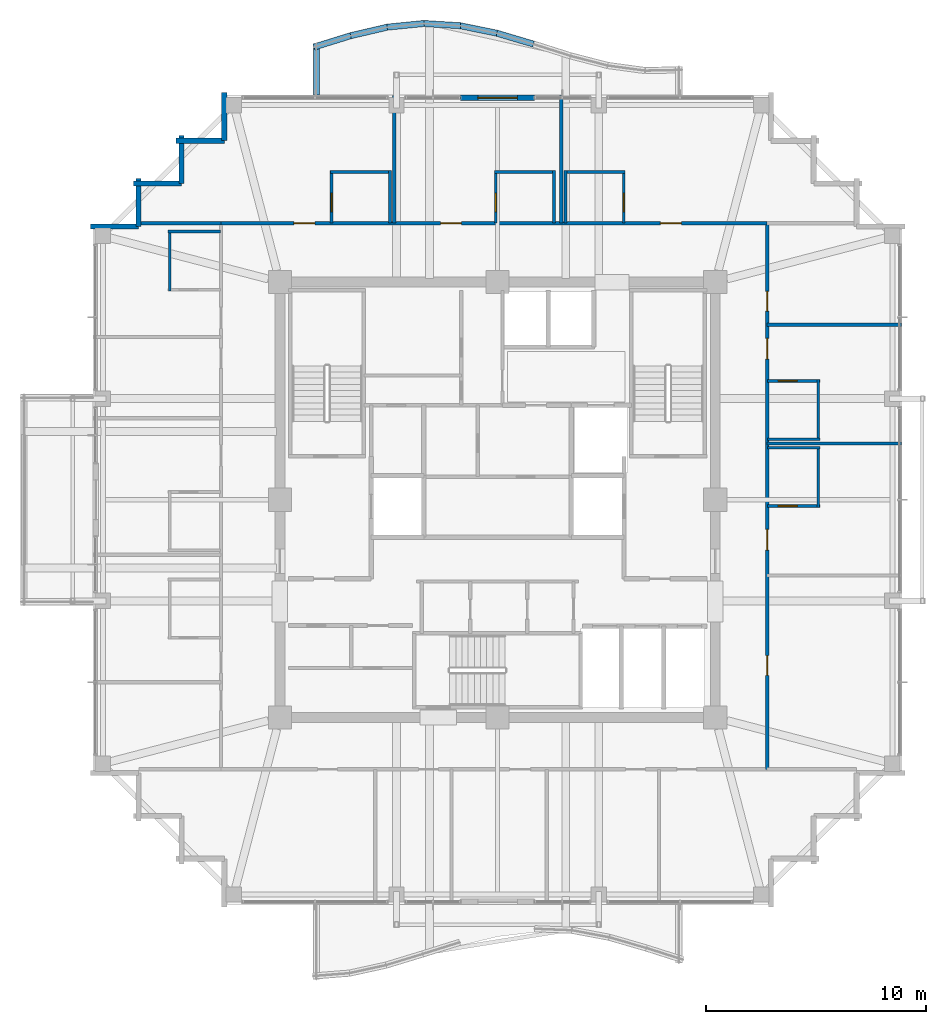
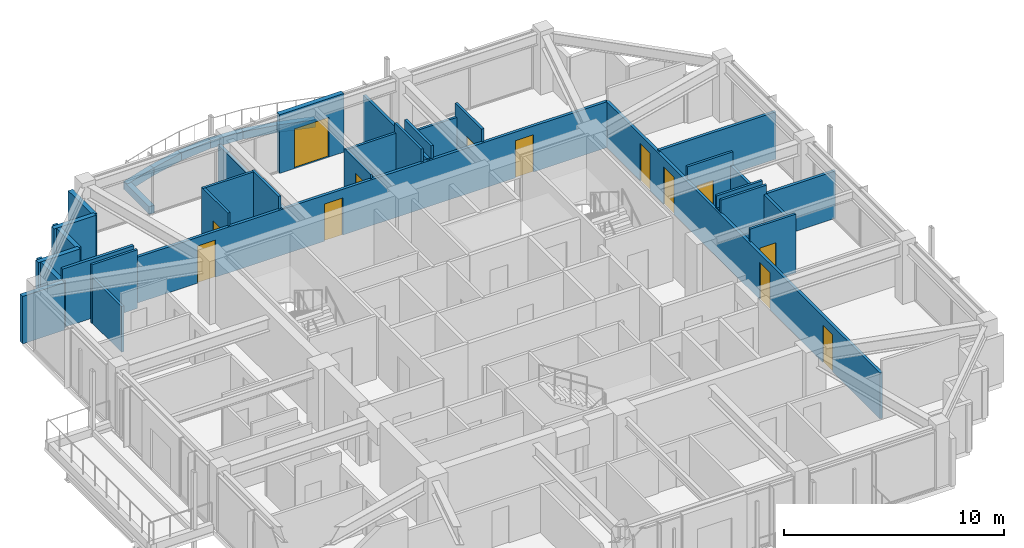
# One storey, part 30 of 34: 38 walls, 13 doors, 13 openings.
"""IFC4 building model written with IfcOpenShell, lengths in metres."""

from ifc_helpers import new_model, si_unit, direction, frame, frame_2d, origin, place, context, subcontext, project, spatial, rectangle, extrude, material, layer, layer_set, type_object, element, fill, save


model = new_model("IFC4")

# Units and contexts
model_context = context("Model", 3, precision=1e-05, world=origin(), true_north=direction((0.0, 1.0)))
body_context = subcontext(model_context, "Body", "Model", "MODEL_VIEW")
ifc_project = project(units=[si_unit("LENGTHUNIT", "METRE"), si_unit("AREAUNIT", "SQUARE_METRE"), si_unit("VOLUMEUNIT", "CUBIC_METRE"), si_unit("PLANEANGLEUNIT", "RADIAN"), si_unit("MASSUNIT", "GRAM", prefix="KILO")], contexts=[model_context])

# Site, building, storey
site_placement = place(None, origin())
site = spatial("IfcSite", under=ifc_project, at=site_placement, CompositionType="ELEMENT")
building_placement = place(site_placement, origin())
building = spatial("IfcBuilding", under=site, at=building_placement, Name="Kolvaren Belvedere", CompositionType="ELEMENT")
storey_placement = place(building_placement, frame((0.0, 0.0, 240.89990234375)))
storey = spatial("IfcBuildingStorey", under=building, at=storey_placement, Name="L70", CompositionType="ELEMENT", Elevation=240.89990234375)

# Wall, openings, doors
ifc_material_1 = material(Name="Gypsum fire-rated partition assembly", Category="gypsum")
ifc_layer_1 = layer(ifc_material_1, 0.14990234375)
ifc_layer_set_1 = layer_set([ifc_layer_1], Name="Gypsum fire-rated partition assembly")
wall_type_1 = type_object("IfcWallType", Name="WL-CORR-150", PredefinedType="PARTITIONING", material=ifc_layer_set_1)
wall_1_placement = place(storey_placement, frame((-12.580078125, 12.580078125, 0.0), z_axis=(0.0, 0.0, 1.0), x_axis=(1.0, 0.0, 0.0)))
wall_1 = element("IfcWall", 1, at=wall_1_placement, inside=storey, type_object=wall_type_1, Name="L70 North Corridor Wall", PredefinedType="PARTITIONING", context=body_context, shape_type="SweptSolid", body=[
    extrude(rectangle(XDim=24.840087890625, YDim=0.14990234375, at=frame_2d((12.419921875, 0.0))), origin(), (0.0, 0.0, 1.0), 2.5390625),
])
opening_1_placement = place(wall_1_placement, frame((3.320556640625, 0.0, 0.0)))
opening_1 = element("IfcOpeningElement", 2, at=opening_1_placement, cuts=wall_1, Name="Opening D-FD60", PredefinedType="OPENING", context=body_context, shape_type="SweptSolid", body=[
    extrude(rectangle(XDim=0.949951171875, YDim=2.06005859375, at=frame_2d((0.47509765625, 1.030029296875))), frame((0.0, 0.0849609375, 0.0), z_axis=(0.0, -1.0, 0.0), x_axis=(1.0, 0.0, 0.0)), (0.0, 0.0, 1.0), 0.169921875),
])
opening_2_placement = place(wall_1_placement, frame((9.988037109375, 0.0, 0.0)))
opening_2 = element("IfcOpeningElement", 3, at=opening_2_placement, cuts=wall_1, Name="Opening D-FD60", PredefinedType="OPENING", context=body_context, shape_type="SweptSolid", body=[
    extrude(rectangle(XDim=0.949951171875, YDim=2.06005859375, at=frame_2d((0.47509765625, 1.030029296875))), frame((0.0, 0.0849609375, 0.0), z_axis=(0.0, -1.0, 0.0), x_axis=(1.0, 0.0, 0.0)), (0.0, 0.0, 1.0), 0.169921875),
])
opening_3_placement = place(wall_1_placement, frame((19.985595703125, 0.0, 0.0)))
opening_3 = element("IfcOpeningElement", 4, at=opening_3_placement, cuts=wall_1, Name="Opening D-FD60", PredefinedType="OPENING", context=body_context, shape_type="SweptSolid", body=[
    extrude(rectangle(XDim=0.949951171875, YDim=2.06005859375, at=frame_2d((0.47509765625, 1.030029296875))), frame((0.0, 0.0849609375, 0.0), z_axis=(0.0, -1.0, 0.0), x_axis=(1.0, 0.0, 0.0)), (0.0, 0.0, 1.0), 0.169921875),
])
ifc_material_2 = material(Name="Acoustic white-oak fire door leaf", Category="timber")
door_type_1 = type_object("IfcDoorType", Name="DR-FD60-950", OperationType="NOTDEFINED", PredefinedType="DOOR", material=ifc_material_2)
door_1_placement = place(opening_1_placement, origin())
door_1 = element("IfcDoor", 5, at=door_1_placement, inside=storey, type_object=door_type_1, Name="L70 Botanical Hospitality Suite 7013 Entry Door", OperationType="SINGLE_SWING_RIGHT", OverallHeight=2.06005859375, OverallWidth=0.949951171875, PredefinedType="DOOR", context=body_context, shape_type="SweptSolid", body=[
    extrude(rectangle(XDim=0.949951171875, YDim=2.06005859375, at=frame_2d((0.47509765625, 1.030029296875))), frame((0.0, 0.02490234375, 0.0), z_axis=(0.0, -1.0, 0.0), x_axis=(1.0, 0.0, 0.0)), (0.0, 0.0, 1.0), 0.050048828125),
])
fill(opening_1, door_1)
door_2_placement = place(opening_2_placement, origin())
door_2 = element("IfcDoor", 6, at=door_2_placement, inside=storey, type_object=door_type_1, Name="L70 King Guest Room 7014 Entry Door", OperationType="SINGLE_SWING_RIGHT", OverallHeight=2.06005859375, OverallWidth=0.949951171875, PredefinedType="DOOR", context=body_context, shape_type="SweptSolid", body=[
    extrude(rectangle(XDim=0.949951171875, YDim=2.06005859375, at=frame_2d((0.47509765625, 1.030029296875))), frame((0.0, 0.02490234375, 0.0), z_axis=(0.0, -1.0, 0.0), x_axis=(1.0, 0.0, 0.0)), (0.0, 0.0, 1.0), 0.050048828125),
])
fill(opening_2, door_2)
door_3_placement = place(opening_3_placement, origin())
door_3 = element("IfcDoor", 7, at=door_3_placement, inside=storey, type_object=door_type_1, Name="L70 Botanical Hospitality Suite 7015 Entry Door", OperationType="SINGLE_SWING_RIGHT", OverallHeight=2.06005859375, OverallWidth=0.949951171875, PredefinedType="DOOR", context=body_context, shape_type="SweptSolid", body=[
    extrude(rectangle(XDim=0.949951171875, YDim=2.06005859375, at=frame_2d((0.47509765625, 1.030029296875))), frame((0.0, 0.02490234375, 0.0), z_axis=(0.0, -1.0, 0.0), x_axis=(1.0, 0.0, 0.0)), (0.0, 0.0, 1.0), 0.050048828125),
])
fill(opening_3, door_3)

wall_2_placement = place(storey_placement, frame((12.260009765625, -12.260009765625, 0.0), z_axis=(0.0, 0.0, 1.0), x_axis=(0.0, 1.0, 0.0)))
wall_2 = element("IfcWall", 8, at=wall_2_placement, inside=storey, type_object=wall_type_1, Name="L70 East Corridor Wall", PredefinedType="PARTITIONING", context=body_context, shape_type="SweptSolid", body=[
    extrude(rectangle(XDim=24.840087890625, YDim=0.14990234375, at=frame_2d((12.419921875, 0.0))), origin(), (0.0, 0.0, 1.0), 2.5390625),
])
opening_4_placement = place(wall_2_placement, frame((4.27490234375, 0.0, 0.0)))
opening_4 = element("IfcOpeningElement", 9, at=opening_4_placement, cuts=wall_2, Name="Opening D-INT90", PredefinedType="OPENING", context=body_context, shape_type="SweptSolid", body=[
    extrude(rectangle(XDim=0.89990234375, YDim=2.06005859375, at=frame_2d((0.449951171875, 1.030029296875))), frame((0.0, 0.0849609375, 0.0), z_axis=(0.0, -1.0, 0.0), x_axis=(1.0, 0.0, 0.0)), (0.0, 0.0, 1.0), 0.169921875),
])
opening_5_placement = place(wall_2_placement, frame((9.965576171875, 0.0, 0.0)))
opening_5 = element("IfcOpeningElement", 10, at=opening_5_placement, cuts=wall_2, Name="Opening D-FD60", PredefinedType="OPENING", context=body_context, shape_type="SweptSolid", body=[
    extrude(rectangle(XDim=0.949951171875, YDim=2.06005859375, at=frame_2d((0.47509765625, 1.030029296875))), frame((0.0, 0.0849609375, 0.0), z_axis=(0.0, -1.0, 0.0), x_axis=(1.0, 0.0, 0.0)), (0.0, 0.0, 1.0), 0.169921875),
])
opening_6_placement = place(wall_2_placement, frame((18.653076171875, 0.0, 0.0)))
opening_6 = element("IfcOpeningElement", 11, at=opening_6_placement, cuts=wall_2, Name="Opening D-FD60", PredefinedType="OPENING", context=body_context, shape_type="SweptSolid", body=[
    extrude(rectangle(XDim=0.949951171875, YDim=2.06005859375, at=frame_2d((0.47509765625, 1.030029296875))), frame((0.0, 0.0849609375, 0.0), z_axis=(0.0, -1.0, 0.0), x_axis=(1.0, 0.0, 0.0)), (0.0, 0.0, 1.0), 0.169921875),
])
opening_7_placement = place(wall_2_placement, frame((20.835693359375, 0.0, 0.0)))
opening_7 = element("IfcOpeningElement", 12, at=opening_7_placement, cuts=wall_2, Name="Opening D-INT90", PredefinedType="OPENING", context=body_context, shape_type="SweptSolid", body=[
    extrude(rectangle(XDim=0.89990234375, YDim=2.06005859375, at=frame_2d((0.449951171875, 1.030029296875))), frame((0.0, 0.0849609375, 0.0), z_axis=(0.0, -1.0, 0.0), x_axis=(1.0, 0.0, 0.0)), (0.0, 0.0, 1.0), 0.169921875),
])
door_4_placement = place(opening_5_placement, origin())
door_4 = element("IfcDoor", 13, at=door_4_placement, inside=storey, type_object=door_type_1, Name="L70 Botanical Hospitality Suite 7005 Entry Door", OperationType="SINGLE_SWING_LEFT", OverallHeight=2.06005859375, OverallWidth=0.949951171875, PredefinedType="DOOR", context=body_context, shape_type="SweptSolid", body=[
    extrude(rectangle(XDim=0.949951171875, YDim=2.06005859375, at=frame_2d((0.47509765625, 1.030029296875))), frame((0.0, 0.02490234375, 0.0), z_axis=(0.0, -1.0, 0.0), x_axis=(1.0, 0.0, 0.0)), (0.0, 0.0, 1.0), 0.050048828125),
])
fill(opening_5, door_4)
door_5_placement = place(opening_6_placement, origin())
door_5 = element("IfcDoor", 14, at=door_5_placement, inside=storey, type_object=door_type_1, Name="L70 King Guest Room 7006 Entry Door", OperationType="SINGLE_SWING_LEFT", OverallHeight=2.06005859375, OverallWidth=0.949951171875, PredefinedType="DOOR", context=body_context, shape_type="SweptSolid", body=[
    extrude(rectangle(XDim=0.949951171875, YDim=2.06005859375, at=frame_2d((0.47509765625, 1.030029296875))), frame((0.0, 0.02490234375, 0.0), z_axis=(0.0, -1.0, 0.0), x_axis=(1.0, 0.0, 0.0)), (0.0, 0.0, 1.0), 0.050048828125),
])
fill(opening_6, door_5)
ifc_material_3 = material(Name="Stained Pacific white oak", Category="timber")
door_type_2 = type_object("IfcDoorType", Name="DR-INT-900", OperationType="NOTDEFINED", PredefinedType="DOOR", material=ifc_material_3)
door_6_placement = place(opening_4_placement, origin())
door_6 = element("IfcDoor", 15, at=door_6_placement, inside=storey, type_object=door_type_2, Name="L70 Botanical Reading Salon 7004 Door", OperationType="SINGLE_SWING_LEFT", OverallHeight=2.06005859375, OverallWidth=0.89990234375, PredefinedType="DOOR", context=body_context, shape_type="SweptSolid", body=[
    extrude(rectangle(XDim=0.89990234375, YDim=2.06005859375, at=frame_2d((0.449951171875, 1.030029296875))), frame((0.0, 0.02490234375, 0.0), z_axis=(0.0, -1.0, 0.0), x_axis=(1.0, 0.0, 0.0)), (0.0, 0.0, 1.0), 0.050048828125),
])
fill(opening_4, door_6)
door_7_placement = place(opening_7_placement, origin())
door_7 = element("IfcDoor", 16, at=door_7_placement, inside=storey, type_object=door_type_2, Name="L70 Lounge 7007 Door", OperationType="SINGLE_SWING_RIGHT", OverallHeight=2.06005859375, OverallWidth=0.89990234375, PredefinedType="DOOR", context=body_context, shape_type="SweptSolid", body=[
    extrude(rectangle(XDim=0.89990234375, YDim=2.06005859375, at=frame_2d((0.449951171875, 1.030029296875))), frame((0.0, 0.02490234375, 0.0), z_axis=(0.0, -1.0, 0.0), x_axis=(1.0, 0.0, 0.0)), (0.0, 0.0, 1.0), 0.050048828125),
])
fill(opening_7, door_7)

# Wall, opening, door
ifc_material_4 = material(Name="Insulated pale-metal facade wall assembly", Category="aluminium")
ifc_layer_2 = layer(ifc_material_4, 0.239990234375)
ifc_layer_set_2 = layer_set([ifc_layer_2], Name="Insulated pale-metal facade wall assembly")
wall_type_2 = type_object("IfcWallType", Name="WL-EXT-240", PredefinedType="STANDARD", material=ifc_layer_set_2)
wall_3_placement = place(storey_placement, frame((-1.679931640625, 18.280029296875, 0.0), z_axis=(0.0, 0.0, 1.0), x_axis=(1.0, 0.0, 0.0)))
wall_3 = element("IfcWall", 17, at=wall_3_placement, inside=storey, type_object=wall_type_2, Name="L70 North Terrace Portal Wall", PredefinedType="STANDARD", context=body_context, shape_type="SweptSolid", body=[
    extrude(rectangle(XDim=3.35986328125, YDim=0.239990234375, at=frame_2d((1.679931640625, 0.0))), origin(), (0.0, 0.0, 1.0), 3.25),
])
opening_8_placement = place(wall_3_placement, frame((0.780029296875, 0.0, 0.0)))
opening_8 = element("IfcOpeningElement", 18, at=opening_8_placement, cuts=wall_3, Name="Opening DB-1800", PredefinedType="OPENING", context=body_context, shape_type="SweptSolid", body=[
    extrude(rectangle(XDim=1.800048828125, YDim=2.199951171875, at=frame_2d((0.89990234375, 1.10009765625))), frame((0.0, 0.1298828125, 0.0), z_axis=(0.0, -1.0, 0.0), x_axis=(1.0, 0.0, 0.0)), (0.0, 0.0, 1.0), 0.260009765625),
])
ifc_material_5 = material(Name="Thermally broken pale-metal aluminium & low-iron glass", Category="aluminium")
door_type_3 = type_object("IfcDoorType", Name="DR-BAL-1800", OperationType="DOUBLE_DOOR_SLIDING", PredefinedType="DOOR", material=ifc_material_5)
door_8_placement = place(opening_8_placement, origin())
door_8 = element("IfcDoor", 19, at=door_8_placement, inside=storey, type_object=door_type_3, Name="L70 North Planted Terrace Sliding Door", OperationType="DOUBLE_DOOR_SLIDING", OverallHeight=2.199951171875, OverallWidth=1.800048828125, PredefinedType="DOOR", context=body_context, shape_type="SweptSolid", body=[
    extrude(rectangle(XDim=1.800048828125, YDim=2.199951171875, at=frame_2d((0.89990234375, 1.10009765625))), frame((0.0, 0.02490234375, 0.0), z_axis=(0.0, -1.0, 0.0), x_axis=(1.0, 0.0, 0.0)), (0.0, 0.0, 1.0), 0.050048828125),
])
fill(opening_8, door_8)

# Walls
wall_4_placement = place(storey_placement, frame((-12.429931640625, 16.330078125, 0.0), z_axis=(0.0, 0.0, 1.0), x_axis=(0.0, 1.0, 0.0)))
element("IfcWall", 20, at=wall_4_placement, inside=storey, type_object=wall_type_2, Name="L70 Serrated Corner Facade Wall 16", PredefinedType="STANDARD", context=body_context, shape_type="SweptSolid", body=[
    extrude(rectangle(XDim=2.18994140625, YDim=0.239990234375, at=frame_2d((1.094970703125, 0.0))), origin(), (0.0, 0.0, 1.0), 2.633056640625),
])
for number, where, z_axis, x_axis, name in (
    (21, (-14.6201171875, 16.330078125, 0.0), (0.0, 0.0, 1.0), (1.0, 0.0, 0.0), "L70 Serrated Corner Facade Wall 17"),
    (22, (-14.3798828125, 14.3798828125, 0.0), (0.0, 0.0, 1.0), (0.0, 1.0, 0.0), "L70 Serrated Corner Facade Wall 18"),
    (23, (-16.570068359375, 14.3798828125, 0.0), (0.0, 0.0, 1.0), (1.0, 0.0, 0.0), "L70 Serrated Corner Facade Wall 19"),
    (24, (-16.330078125, 12.429931640625, 0.0), (0.0, 0.0, 1.0), (0.0, 1.0, 0.0), "L70 Serrated Corner Facade Wall 20"),
):
    element("IfcWall", number, at=place(storey_placement, frame(where, z_axis=z_axis, x_axis=x_axis)), inside=storey, type_object=wall_type_2, Name=name, PredefinedType="STANDARD", context=body_context, shape_type="SweptSolid", body=[
        extrude(rectangle(XDim=2.190185546875, YDim=0.239990234375, at=frame_2d((1.09521484375, 0.0))), origin(), (0.0, 0.0, 1.0), 2.633056640625),
    ])
wall_5_placement = place(storey_placement, frame((-18.52001953125, 12.429931640625, 0.0), z_axis=(0.0, 0.0, 1.0), x_axis=(1.0, 0.0, 0.0)))
element("IfcWall", 25, at=wall_5_placement, inside=storey, type_object=wall_type_2, Name="L70 Serrated Corner Facade Wall 21", PredefinedType="STANDARD", context=body_context, shape_type="SweptSolid", body=[
    extrude(rectangle(XDim=2.18994140625, YDim=0.239990234375, at=frame_2d((1.094970703125, 0.0))), origin(), (0.0, 0.0, 1.0), 2.633056640625),
])
ifc_material_6 = material(Name="Gypsum acoustic partition assembly", Category="gypsum")
ifc_layer_3 = layer(ifc_material_6, 0.14990234375)
ifc_layer_set_3 = layer_set([ifc_layer_3], Name="Gypsum acoustic partition assembly")
wall_type_3 = type_object("IfcWallType", Name="WL-PART-150", PredefinedType="PARTITIONING", material=ifc_layer_set_3)
wall_6_placement = place(storey_placement, frame((-16.320068359375, 12.580078125, 0.0), z_axis=(0.0, 0.0, 1.0), x_axis=(1.0, 0.0, 0.0)))
element("IfcWall", 26, at=wall_6_placement, inside=storey, type_object=wall_type_3, Name="L70 Wing Divider PW-L70-QNW", PredefinedType="PARTITIONING", context=body_context, shape_type="SweptSolid", body=[
    extrude(rectangle(XDim=3.739990234375, YDim=0.14990234375, at=frame_2d((1.8701171875, 0.0))), origin(), (0.0, 0.0, 1.0), 3.25),
])
for number, where, z_axis, x_axis, name in (
    (27, (12.260009765625, 2.56005859375, 0.0), (0.0, 0.0, 1.0), (1.0, 0.0, 0.0), "L70 East Suite Demising Wall 2"),
    (28, (12.260009765625, 7.9599609375, 0.0), (0.0, 0.0, 1.0), (1.0, 0.0, 0.0), "L70 East Suite Demising Wall 3"),
):
    element("IfcWall", number, at=place(storey_placement, frame(where, z_axis=z_axis, x_axis=x_axis)), inside=storey, type_object=wall_type_3, Name=name, PredefinedType="PARTITIONING", context=body_context, shape_type="SweptSolid", body=[
        extrude(rectangle(XDim=6.119873046875, YDim=0.14990234375, at=frame_2d((3.06005859375, 0.0))), origin(), (0.0, 0.0, 1.0), 2.623046875),
    ])
wall_7_placement = place(storey_placement, frame((-4.7041015625, 12.580078125, 0.0), z_axis=(0.0, 0.0, 1.0), x_axis=(0.0, 1.0, 0.0)))
element("IfcWall", 29, at=wall_7_placement, inside=storey, type_object=wall_type_3, Name="L70 North Suite Demising Wall 1", PredefinedType="PARTITIONING", context=body_context, shape_type="SweptSolid", body=[
    extrude(rectangle(XDim=5.7998046875, YDim=0.14990234375, at=frame_2d((2.89990234375, 0.0))), origin(), (0.0, 0.0, 1.0), 2.5390625),
])
wall_8_placement = place(storey_placement, frame((2.89599609375, 12.580078125, 0.0), z_axis=(0.0, 0.0, 1.0), x_axis=(0.0, 1.0, 0.0)))
element("IfcWall", 30, at=wall_8_placement, inside=storey, type_object=wall_type_3, Name="L70 North Suite Demising Wall 2", PredefinedType="PARTITIONING", context=body_context, shape_type="SweptSolid", body=[
    extrude(rectangle(XDim=5.7998046875, YDim=0.14990234375, at=frame_2d((2.89990234375, 0.0))), origin(), (0.0, 0.0, 1.0), 2.623046875),
])
ifc_material_7 = material(Name="Precast concrete C40/50", Category="concrete")
ifc_layer_4 = layer(ifc_material_7, 0.300048828125)
ifc_layer_set_4 = layer_set([ifc_layer_4], Name="Precast concrete C40/50")
wall_type_4 = type_object("IfcWallType", Name="WL-PLANTER-300", PredefinedType="PARAPET", material=ifc_layer_set_4)
wall_9_placement = place(storey_placement, frame((1.634521484375, 20.721923828125, -0.06982421875), z_axis=(0.0, 0.0, 1.0), x_axis=(-0.958536356279, 0.284970268083, 0.0)))
element("IfcWall", 31, at=wall_9_placement, inside=storey, type_object=wall_type_4, Name="L70 Precast Structural Planter Wall BAL-N-16", PredefinedType="PARAPET", context=body_context, shape_type="SweptSolid", body=[
    extrude(rectangle(XDim=1.7529296875, YDim=0.280029296875, at=frame_2d((0.87646484375, 0.0))), origin(), (0.0, 0.0, 1.0), 0.419921875),
])
wall_10_placement = place(storey_placement, frame((-0.031982421875, 21.218017578125, -0.06982421875), z_axis=(0.0, 0.0, 1.0), x_axis=(-0.979867779516, 0.199647526069, 0.0)))
element("IfcWall", 32, at=wall_10_placement, inside=storey, type_object=wall_type_4, Name="L70 Precast Structural Planter Wall BAL-N-17", PredefinedType="PARAPET", context=body_context, shape_type="SweptSolid", body=[
    extrude(rectangle(XDim=1.71435546875, YDim=0.280029296875, at=frame_2d((0.857177734375, 0.0))), origin(), (0.0, 0.0, 1.0), 0.419921875),
])
wall_11_placement = place(storey_placement, frame((-1.689697265625, 21.5576171875, -0.06982421875), z_axis=(0.0, 0.0, 1.0), x_axis=(-0.998134101522, 0.061059932685, 0.0)))
element("IfcWall", 33, at=wall_11_placement, inside=storey, type_object=wall_type_4, Name="L70 Precast Structural Planter Wall BAL-N-18", PredefinedType="PARAPET", context=body_context, shape_type="SweptSolid", body=[
    extrude(rectangle(XDim=1.683349609375, YDim=0.280029296875, at=frame_2d((0.841796875, 0.0))), origin(), (0.0, 0.0, 1.0), 0.419921875),
])
wall_12_placement = place(storey_placement, frame((-3.343994140625, 21.660888671875, -0.06982421875), z_axis=(0.0, 0.0, 1.0), x_axis=(-0.995025731437, -0.099618240186, 0.0)))
element("IfcWall", 34, at=wall_12_placement, inside=storey, type_object=wall_type_4, Name="L70 Precast Structural Planter Wall BAL-N-19", PredefinedType="PARAPET", context=body_context, shape_type="SweptSolid", body=[
    extrude(rectangle(XDim=1.6884765625, YDim=0.280029296875, at=frame_2d((0.84423828125, 0.0))), origin(), (0.0, 0.0, 1.0), 0.419921875),
])
wall_13_placement = place(storey_placement, frame((-5.003662109375, 21.49609375, -0.06982421875), z_axis=(0.0, 0.0, 1.0), x_axis=(-0.973890253884, -0.227019323824, 0.0)))
element("IfcWall", 35, at=wall_13_placement, inside=storey, type_object=wall_type_4, Name="L70 Precast Structural Planter Wall BAL-N-20", PredefinedType="PARAPET", context=body_context, shape_type="SweptSolid", body=[
    extrude(rectangle(XDim=1.724853515625, YDim=0.280029296875, at=frame_2d((0.8623046875, 0.0))), origin(), (0.0, 0.0, 1.0), 0.419921875),
])
wall_14_placement = place(storey_placement, frame((-6.672607421875, 21.107421875, -0.06982421875), z_axis=(0.0, 0.0, 1.0), x_axis=(-0.955252278476, -0.29579229954, 0.0)))
element("IfcWall", 36, at=wall_14_placement, inside=storey, type_object=wall_type_4, Name="L70 Precast Structural Planter Wall BAL-N-21", PredefinedType="PARAPET", context=body_context, shape_type="SweptSolid", body=[
    extrude(rectangle(XDim=1.7587890625, YDim=0.280029296875, at=frame_2d((0.87939453125, 0.0))), origin(), (0.0, 0.0, 1.0), 0.419921875),
])
wall_15_placement = place(storey_placement, frame((-8.239990234375, 20.739990234375, -0.06982421875), z_axis=(0.0, 0.0, 1.0), x_axis=(0.0, -1.0, 0.0)))
element("IfcWall", 37, at=wall_15_placement, inside=storey, type_object=wall_type_4, Name="L70 Precast Structural Planter Wall BAL-N-22", PredefinedType="PARAPET", context=body_context, shape_type="SweptSolid", body=[
    extrude(rectangle(XDim=2.340087890625, YDim=0.280029296875, at=frame_2d((1.169921875, 0.0))), origin(), (0.0, 0.0, 1.0), 0.419921875),
])

# Wall, opening, door
ifc_material_8 = material(Name="Moisture-resistant gypsum partition", Category="gypsum")
ifc_layer_5 = layer(ifc_material_8, 0.125)
ifc_layer_set_5 = layer_set([ifc_layer_5], Name="Moisture-resistant gypsum partition")
wall_type_5 = type_object("IfcWallType", Name="WL-WET-125", PredefinedType="PARTITIONING", material=ifc_layer_set_5)
wall_16_placement = place(storey_placement, frame((12.27490234375, -0.284912109375, 0.0), z_axis=(0.0, 0.0, 1.0), x_axis=(1.0, 0.0, 0.0)))
wall_16 = element("IfcWall", 38, at=wall_16_placement, inside=storey, type_object=wall_type_5, Name="L70 Bathroom Partition PW-L70-BTH-5-N", PredefinedType="PARTITIONING", context=body_context, shape_type="SweptSolid", body=[
    extrude(rectangle(XDim=2.39013671875, YDim=0.125, at=frame_2d((1.195068359375, 0.0))), origin(), (0.0, 0.0, 1.0), 3.25),
])
opening_9_placement = place(wall_16_placement, frame((0.5, 0.0, 0.0)))
opening_9 = element("IfcOpeningElement", 39, at=opening_9_placement, cuts=wall_16, Name="Opening D-BTH85", PredefinedType="OPENING", context=body_context, shape_type="SweptSolid", body=[
    extrude(rectangle(XDim=0.85009765625, YDim=2.030029296875, at=frame_2d((0.425048828125, 1.01513671875))), frame((0.0, 0.072509765625, 0.0), z_axis=(0.0, -1.0, 0.0), x_axis=(1.0, 0.0, 0.0)), (0.0, 0.0, 1.0), 0.14501953125),
])
ifc_material_9 = material(Name="Moisture-sealed Pacific white oak", Category="timber")
door_type_4 = type_object("IfcDoorType", Name="DR-BATH-850", OperationType="NOTDEFINED", PredefinedType="DOOR", material=ifc_material_9)
door_9_placement = place(opening_9_placement, origin())
door_9 = element("IfcDoor", 40, at=door_9_placement, inside=storey, type_object=door_type_4, Name="L70 En-Suite Bathroom 7005 Door", OperationType="SINGLE_SWING_RIGHT", OverallHeight=2.030029296875, OverallWidth=0.85009765625, PredefinedType="DOOR", context=body_context, shape_type="SweptSolid", body=[
    extrude(rectangle(XDim=0.85009765625, YDim=2.030029296875, at=frame_2d((0.425048828125, 1.01513671875))), frame((0.0, 0.02490234375, 0.0), z_axis=(0.0, -1.0, 0.0), x_axis=(1.0, 0.0, 0.0)), (0.0, 0.0, 1.0), 0.050048828125),
])
fill(opening_9, door_9)

# Walls
wall_17_placement = place(storey_placement, frame((14.5849609375, -0.344970703125, 0.0), z_axis=(0.0, 0.0, 1.0), x_axis=(0.0, 1.0, 0.0)))
element("IfcWall", 41, at=wall_17_placement, inside=storey, type_object=wall_type_5, Name="L70 Bathroom Partition PW-L70-BTH-5-V", PredefinedType="PARTITIONING", context=body_context, shape_type="SweptSolid", body=[
    extrude(rectangle(XDim=2.77001953125, YDim=0.125, at=frame_2d((1.385009765625, 0.0))), origin(), (0.0, 0.0, 1.0), 2.775146484375),
])
wall_18_placement = place(storey_placement, frame((12.27490234375, 2.364990234375, 0.0), z_axis=(0.0, 0.0, 1.0), x_axis=(1.0, 0.0, 0.0)))
element("IfcWall", 42, at=wall_18_placement, inside=storey, type_object=wall_type_5, Name="L70 Bathroom Partition PW-L70-BTH-5-S", PredefinedType="PARTITIONING", context=body_context, shape_type="SweptSolid", body=[
    extrude(rectangle(XDim=2.39013671875, YDim=0.125, at=frame_2d((1.195068359375, 0.0))), origin(), (0.0, 0.0, 1.0), 3.25),
])

# Wall, opening, door
wall_19_placement = place(storey_placement, frame((12.27490234375, 5.405029296875, 0.0), z_axis=(0.0, 0.0, 1.0), x_axis=(1.0, 0.0, 0.0)))
wall_19 = element("IfcWall", 43, at=wall_19_placement, inside=storey, type_object=wall_type_5, Name="L70 Bathroom Partition PW-L70-BTH-6-N", PredefinedType="PARTITIONING", context=body_context, shape_type="SweptSolid", body=[
    extrude(rectangle(XDim=2.39013671875, YDim=0.125, at=frame_2d((1.195068359375, 0.0))), origin(), (0.0, 0.0, 1.0), 3.25),
])
opening_10_placement = place(wall_19_placement, frame((0.5, 0.0, 0.0)))
opening_10 = element("IfcOpeningElement", 44, at=opening_10_placement, cuts=wall_19, Name="Opening D-BTH85", PredefinedType="OPENING", context=body_context, shape_type="SweptSolid", body=[
    extrude(rectangle(XDim=0.85009765625, YDim=2.030029296875, at=frame_2d((0.425048828125, 1.01513671875))), frame((0.0, 0.072509765625, 0.0), z_axis=(0.0, -1.0, 0.0), x_axis=(1.0, 0.0, 0.0)), (0.0, 0.0, 1.0), 0.14501953125),
])
door_10_placement = place(opening_10_placement, origin())
door_10 = element("IfcDoor", 45, at=door_10_placement, inside=storey, type_object=door_type_4, Name="L70 En-Suite Bathroom 7006 Door", OperationType="SINGLE_SWING_RIGHT", OverallHeight=2.030029296875, OverallWidth=0.85009765625, PredefinedType="DOOR", context=body_context, shape_type="SweptSolid", body=[
    extrude(rectangle(XDim=0.85009765625, YDim=2.030029296875, at=frame_2d((0.425048828125, 1.01513671875))), frame((0.0, 0.02490234375, 0.0), z_axis=(0.0, -1.0, 0.0), x_axis=(1.0, 0.0, 0.0)), (0.0, 0.0, 1.0), 0.050048828125),
])
fill(opening_10, door_10)

# Walls
wall_20_placement = place(storey_placement, frame((14.5849609375, 2.695068359375, 0.0), z_axis=(0.0, 0.0, 1.0), x_axis=(0.0, 1.0, 0.0)))
element("IfcWall", 46, at=wall_20_placement, inside=storey, type_object=wall_type_5, Name="L70 Bathroom Partition PW-L70-BTH-6-V", PredefinedType="PARTITIONING", context=body_context, shape_type="SweptSolid", body=[
    extrude(rectangle(XDim=2.77001953125, YDim=0.125, at=frame_2d((1.385009765625, 0.0))), origin(), (0.0, 0.0, 1.0), 2.5390625),
])
wall_21_placement = place(storey_placement, frame((12.27490234375, 2.7548828125, 0.0), z_axis=(0.0, 0.0, 1.0), x_axis=(1.0, 0.0, 0.0)))
element("IfcWall", 47, at=wall_21_placement, inside=storey, type_object=wall_type_5, Name="L70 Bathroom Partition PW-L70-BTH-6-S", PredefinedType="PARTITIONING", context=body_context, shape_type="SweptSolid", body=[
    extrude(rectangle(XDim=2.39013671875, YDim=0.125, at=frame_2d((1.195068359375, 0.0))), origin(), (0.0, 0.0, 1.0), 3.25),
])
wall_22_placement = place(storey_placement, frame((-14.905029296875, 9.490966796875, 0.0), z_axis=(0.0, 0.0, 1.0), x_axis=(0.0, 1.0, 0.0)))
element("IfcWall", 48, at=wall_22_placement, inside=storey, type_object=wall_type_5, Name="L70 Bathroom Partition PW-L70-BTH-12-V", PredefinedType="PARTITIONING", context=body_context, shape_type="SweptSolid", body=[
    extrude(rectangle(XDim=2.77001953125, YDim=0.125, at=frame_2d((1.385009765625, 0.0))), origin(), (0.0, 0.0, 1.0), 2.5390625),
])
wall_23_placement = place(storey_placement, frame((-14.985107421875, 12.200927734375, 0.0), z_axis=(0.0, 0.0, 1.0), x_axis=(1.0, 0.0, 0.0)))
element("IfcWall", 49, at=wall_23_placement, inside=storey, type_object=wall_type_5, Name="L70 Bathroom Partition PW-L70-BTH-12-S", PredefinedType="PARTITIONING", context=body_context, shape_type="SweptSolid", body=[
    extrude(rectangle(XDim=2.39013671875, YDim=0.125, at=frame_2d((1.195068359375, 0.0))), origin(), (0.0, 0.0, 1.0), 3.25),
])

# Wall, opening, door
wall_24_placement = place(storey_placement, frame((-7.549072265625, 12.594970703125, 0.0), z_axis=(0.0, 0.0, 1.0), x_axis=(0.0, 1.0, 0.0)))
wall_24 = element("IfcWall", 50, at=wall_24_placement, inside=storey, type_object=wall_type_5, Name="L70 Bathroom Partition PW-L70-BTH-13-E", PredefinedType="PARTITIONING", context=body_context, shape_type="SweptSolid", body=[
    extrude(rectangle(XDim=2.39013671875, YDim=0.125, at=frame_2d((1.195068359375, 0.0))), origin(), (0.0, 0.0, 1.0), 3.25),
])
opening_11_placement = place(wall_24_placement, frame((0.5, 0.0, 0.0)))
opening_11 = element("IfcOpeningElement", 51, at=opening_11_placement, cuts=wall_24, Name="Opening D-BTH85", PredefinedType="OPENING", context=body_context, shape_type="SweptSolid", body=[
    extrude(rectangle(XDim=0.85009765625, YDim=2.030029296875, at=frame_2d((0.425048828125, 1.01513671875))), frame((0.0, 0.072509765625, 0.0), z_axis=(0.0, -1.0, 0.0), x_axis=(1.0, 0.0, 0.0)), (0.0, 0.0, 1.0), 0.14501953125),
])
door_11_placement = place(opening_11_placement, origin())
door_11 = element("IfcDoor", 52, at=door_11_placement, inside=storey, type_object=door_type_4, Name="L70 En-Suite Bathroom 7013 Door", OperationType="SINGLE_SWING_LEFT", OverallHeight=2.030029296875, OverallWidth=0.85009765625, PredefinedType="DOOR", context=body_context, shape_type="SweptSolid", body=[
    extrude(rectangle(XDim=0.85009765625, YDim=2.030029296875, at=frame_2d((0.425048828125, 1.01513671875))), frame((0.0, 0.02490234375, 0.0), z_axis=(0.0, -1.0, 0.0), x_axis=(1.0, 0.0, 0.0)), (0.0, 0.0, 1.0), 0.050048828125),
])
fill(opening_11, door_11)

# Walls
wall_25_placement = place(storey_placement, frame((-7.60888671875, 14.905029296875, 0.0), z_axis=(0.0, 0.0, 1.0), x_axis=(1.0, 0.0, 0.0)))
element("IfcWall", 53, at=wall_25_placement, inside=storey, type_object=wall_type_5, Name="L70 Bathroom Partition PW-L70-BTH-13-H", PredefinedType="PARTITIONING", context=body_context, shape_type="SweptSolid", body=[
    extrude(rectangle(XDim=2.769775390625, YDim=0.125, at=frame_2d((1.384765625, 0.0))), origin(), (0.0, 0.0, 1.0), 3.25),
])
wall_26_placement = place(storey_placement, frame((-4.89892578125, 12.594970703125, 0.0), z_axis=(0.0, 0.0, 1.0), x_axis=(0.0, 1.0, 0.0)))
element("IfcWall", 54, at=wall_26_placement, inside=storey, type_object=wall_type_5, Name="L70 Bathroom Partition PW-L70-BTH-13-W", PredefinedType="PARTITIONING", context=body_context, shape_type="SweptSolid", body=[
    extrude(rectangle(XDim=2.39013671875, YDim=0.125, at=frame_2d((1.195068359375, 0.0))), origin(), (0.0, 0.0, 1.0), 3.25),
])

# Wall, opening, door
wall_27_placement = place(storey_placement, frame((-0.083984375, 12.594970703125, 0.0), z_axis=(0.0, 0.0, 1.0), x_axis=(0.0, 1.0, 0.0)))
wall_27 = element("IfcWall", 55, at=wall_27_placement, inside=storey, type_object=wall_type_5, Name="L70 Bathroom Partition PW-L70-BTH-14-E", PredefinedType="PARTITIONING", context=body_context, shape_type="SweptSolid", body=[
    extrude(rectangle(XDim=2.39013671875, YDim=0.125, at=frame_2d((1.195068359375, 0.0))), origin(), (0.0, 0.0, 1.0), 2.775146484375),
])
opening_12_placement = place(wall_27_placement, frame((0.5, 0.0, 0.0)))
opening_12 = element("IfcOpeningElement", 56, at=opening_12_placement, cuts=wall_27, Name="Opening D-BTH85", PredefinedType="OPENING", context=body_context, shape_type="SweptSolid", body=[
    extrude(rectangle(XDim=0.85009765625, YDim=2.030029296875, at=frame_2d((0.425048828125, 1.01513671875))), frame((0.0, 0.072509765625, 0.0), z_axis=(0.0, -1.0, 0.0), x_axis=(1.0, 0.0, 0.0)), (0.0, 0.0, 1.0), 0.14501953125),
])
door_12_placement = place(opening_12_placement, origin())
door_12 = element("IfcDoor", 57, at=door_12_placement, inside=storey, type_object=door_type_4, Name="L70 En-Suite Bathroom 7014 Door", OperationType="SINGLE_SWING_LEFT", OverallHeight=2.030029296875, OverallWidth=0.85009765625, PredefinedType="DOOR", context=body_context, shape_type="SweptSolid", body=[
    extrude(rectangle(XDim=0.85009765625, YDim=2.030029296875, at=frame_2d((0.425048828125, 1.01513671875))), frame((0.0, 0.02490234375, 0.0), z_axis=(0.0, -1.0, 0.0), x_axis=(1.0, 0.0, 0.0)), (0.0, 0.0, 1.0), 0.050048828125),
])
fill(opening_12, door_12)

# Walls
wall_28_placement = place(storey_placement, frame((-0.14404296875, 14.905029296875, 0.0), z_axis=(0.0, 0.0, 1.0), x_axis=(1.0, 0.0, 0.0)))
element("IfcWall", 58, at=wall_28_placement, inside=storey, type_object=wall_type_5, Name="L70 Bathroom Partition PW-L70-BTH-14-H", PredefinedType="PARTITIONING", context=body_context, shape_type="SweptSolid", body=[
    extrude(rectangle(XDim=2.77001953125, YDim=0.125, at=frame_2d((1.385009765625, 0.0))), origin(), (0.0, 0.0, 1.0), 2.775146484375),
])
wall_29_placement = place(storey_placement, frame((2.56591796875, 12.594970703125, 0.0), z_axis=(0.0, 0.0, 1.0), x_axis=(0.0, 1.0, 0.0)))
element("IfcWall", 59, at=wall_29_placement, inside=storey, type_object=wall_type_5, Name="L70 Bathroom Partition PW-L70-BTH-14-W", PredefinedType="PARTITIONING", context=body_context, shape_type="SweptSolid", body=[
    extrude(rectangle(XDim=2.39013671875, YDim=0.125, at=frame_2d((1.195068359375, 0.0))), origin(), (0.0, 0.0, 1.0), 3.25),
])

# Wall, opening, door
wall_30_placement = place(storey_placement, frame((5.740966796875, 12.594970703125, 0.0), z_axis=(0.0, 0.0, 1.0), x_axis=(0.0, 1.0, 0.0)))
wall_30 = element("IfcWall", 60, at=wall_30_placement, inside=storey, type_object=wall_type_5, Name="L70 Bathroom Partition PW-L70-BTH-15-E", PredefinedType="PARTITIONING", context=body_context, shape_type="SweptSolid", body=[
    extrude(rectangle(XDim=2.39013671875, YDim=0.125, at=frame_2d((1.195068359375, 0.0))), origin(), (0.0, 0.0, 1.0), 3.25),
])
opening_13_placement = place(wall_30_placement, frame((0.5, 0.0, 0.0)))
opening_13 = element("IfcOpeningElement", 61, at=opening_13_placement, cuts=wall_30, Name="Opening D-BTH85", PredefinedType="OPENING", context=body_context, shape_type="SweptSolid", body=[
    extrude(rectangle(XDim=0.85009765625, YDim=2.030029296875, at=frame_2d((0.425048828125, 1.01513671875))), frame((0.0, 0.072509765625, 0.0), z_axis=(0.0, -1.0, 0.0), x_axis=(1.0, 0.0, 0.0)), (0.0, 0.0, 1.0), 0.14501953125),
])
door_13_placement = place(opening_13_placement, origin())
door_13 = element("IfcDoor", 62, at=door_13_placement, inside=storey, type_object=door_type_4, Name="L70 En-Suite Bathroom 7015 Door", OperationType="SINGLE_SWING_LEFT", OverallHeight=2.030029296875, OverallWidth=0.85009765625, PredefinedType="DOOR", context=body_context, shape_type="SweptSolid", body=[
    extrude(rectangle(XDim=0.85009765625, YDim=2.030029296875, at=frame_2d((0.425048828125, 1.01513671875))), frame((0.0, 0.02490234375, 0.0), z_axis=(0.0, -1.0, 0.0), x_axis=(1.0, 0.0, 0.0)), (0.0, 0.0, 1.0), 0.050048828125),
])
fill(opening_13, door_13)

# Walls
wall_31_placement = place(storey_placement, frame((3.031005859375, 14.905029296875, 0.0), z_axis=(0.0, 0.0, 1.0), x_axis=(1.0, 0.0, 0.0)))
element("IfcWall", 63, at=wall_31_placement, inside=storey, type_object=wall_type_5, Name="L70 Bathroom Partition PW-L70-BTH-15-H", PredefinedType="PARTITIONING", context=body_context, shape_type="SweptSolid", body=[
    extrude(rectangle(XDim=2.77001953125, YDim=0.125, at=frame_2d((1.385009765625, 0.0))), origin(), (0.0, 0.0, 1.0), 2.5390625),
])
wall_32_placement = place(storey_placement, frame((3.091064453125, 12.594970703125, 0.0), z_axis=(0.0, 0.0, 1.0), x_axis=(0.0, 1.0, 0.0)))
element("IfcWall", 64, at=wall_32_placement, inside=storey, type_object=wall_type_5, Name="L70 Bathroom Partition PW-L70-BTH-15-W", PredefinedType="PARTITIONING", context=body_context, shape_type="SweptSolid", body=[
    extrude(rectangle(XDim=2.39013671875, YDim=0.125, at=frame_2d((1.195068359375, 0.0))), origin(), (0.0, 0.0, 1.0), 3.25),
])

save(model, "model.ifc")
